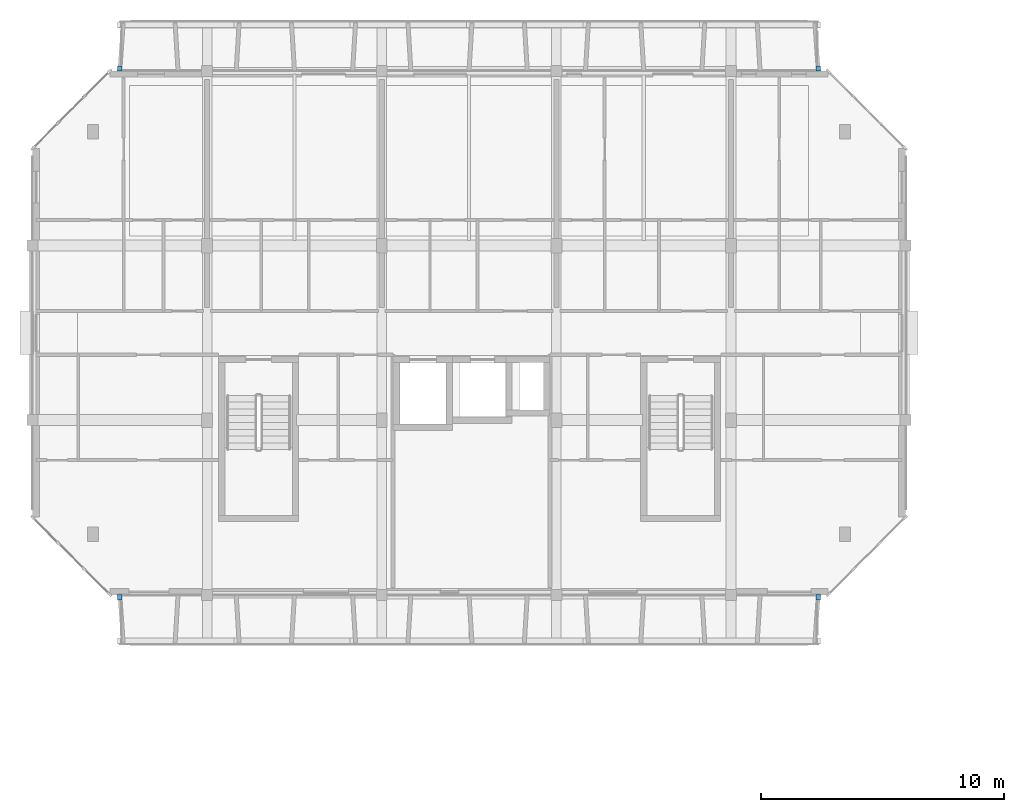
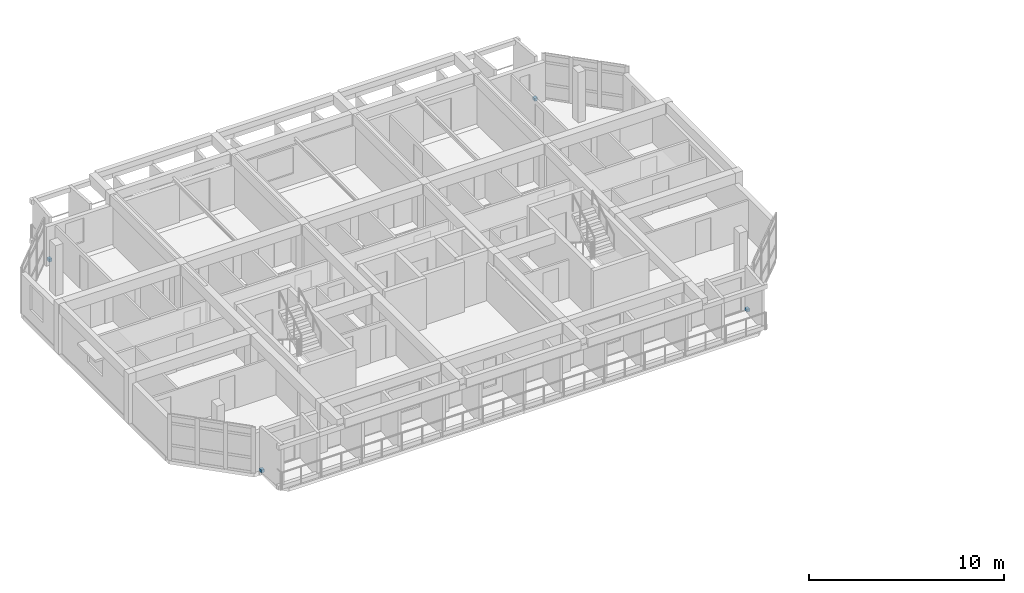
# One storey, part 33 of 43: 4 discrete accessories.
"""IFC4 building model written with IfcOpenShell, lengths in metres."""

from ifc_helpers import new_model, si_unit, direction, frame, origin, origin_2d, place, context, subcontext, project, spatial, rectangle, extrude, material, type_object, element, save


model = new_model("IFC4")

# Units and contexts
model_context = context("Model", 3, precision=1e-05, world=origin(), true_north=direction((0.0, 1.0)))
body_context = subcontext(model_context, "Body", "Model", "MODEL_VIEW")
ifc_project = project(units=[si_unit("LENGTHUNIT", "METRE"), si_unit("AREAUNIT", "SQUARE_METRE"), si_unit("VOLUMEUNIT", "CUBIC_METRE"), si_unit("PLANEANGLEUNIT", "RADIAN"), si_unit("MASSUNIT", "GRAM", prefix="KILO")], contexts=[model_context])

# Site, building, storey
site_placement = place(None, origin())
site = spatial("IfcSite", under=ifc_project, at=site_placement, CompositionType="ELEMENT")
building_placement = place(site_placement, origin())
building = spatial("IfcBuilding", under=site, at=building_placement, Name="Ochrevale Crest", CompositionType="ELEMENT")
storey_placement = place(building_placement, frame((0.0, 0.0, 30.75)))
storey = spatial("IfcBuildingStorey", under=building, at=storey_placement, Name="L09", CompositionType="ELEMENT", Elevation=30.75)

# Discrete accessories
ifc_material = material(Name="Galvanised steel", Category="steel")
discrete_accessory_type = type_object("IfcDiscreteAccessoryType", Name="ACC-BRK-HC", PredefinedType="BRACKET", material=ifc_material)
for number, where, z_axis, x_axis, name in (
    (1, (3.60009765625, 71.89990234375, 0.0), (0.0, 0.0, 1.0), (1.0, 0.0, 0.0), "Block B L09 precast loggia corbel bracket"),
    (2, (32.39990234375, 71.89990234375, 0.0), (0.0, 0.0, 1.0), (1.0, 0.0, 0.0), "Block B L09 precast loggia corbel bracket"),
    (3, (3.60009765625, 93.699951171875, 0.0), (0.0, 0.0, 1.0), (1.0, 0.0, 0.0), "Block B L09 precast loggia corbel bracket"),
    (4, (32.39990234375, 93.699951171875, 0.0), (0.0, 0.0, 1.0), (1.0, 0.0, 0.0), "Block B L09 precast loggia corbel bracket"),
):
    element("IfcDiscreteAccessory", number, at=place(storey_placement, frame(where, z_axis=z_axis, x_axis=x_axis)), inside=storey, type_object=discrete_accessory_type, Name=name, PredefinedType="BRACKET", context=body_context, shape_type="SweptSolid", body=[
        extrude(rectangle(XDim=0.179931640625, YDim=0.219970703125, at=origin_2d()), origin(), (0.0, 0.0, 1.0), 0.179931640625),
    ])

save(model, "model.ifc")
